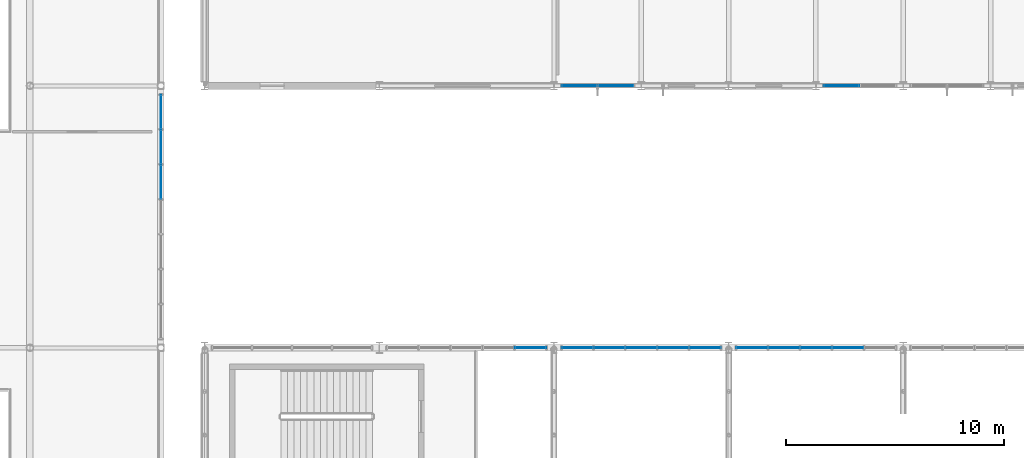
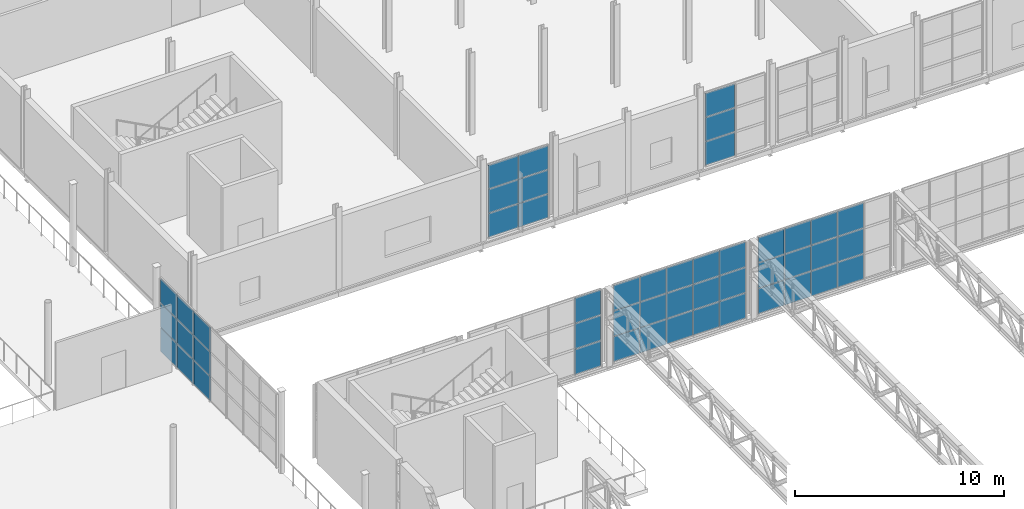
# One storey, part 110 of 143: 48 plates, 6 elements without a shape of their own.
"""IFC4 building model written with IfcOpenShell, lengths in metres."""

import ifcopenshell
import ifcopenshell.guid

model = None  # the IFC model being written
_history = None  # IfcOwnerHistory: only IFC2X3 demands one
_inside = {}  # id of a spatial element -> (the spatial element, [elements in it])
_under = {}  # id of a project, library or spatial element -> (it, [spatial elements below it])
_declared = {}  # id of a project -> (the project, [libraries it declares])
_typed = {}  # id of a type object -> (the type object, [elements of that type])
_made_of = {}  # id of a material, layer set ... -> (it, [elements and type objects made of it])


def new_model(schema):
    """Start an empty IFC model of exactly this schema.

    Asked for "IFC4X3", IfcOpenShell would pick the latest addendum, in which some entities
    have other attributes; the version numbers below select the first issue.
    IFC2X3 requires an IfcOwnerHistory on every rooted entity: one is made here for all.
    """
    global model, _history
    if schema == "IFC4X3":
        model = ifcopenshell.file(schema_version=(4, 3, 0, 0))
    else:
        model = ifcopenshell.file(schema=schema)
    _inside.clear()
    _under.clear()
    _declared.clear()
    _typed.clear()
    _made_of.clear()
    _history = None
    if model.schema == "IFC2X3":
        org = make("IfcOrganization", Name="unknown")
        user = make(
            "IfcPersonAndOrganization",
            ThePerson=make("IfcPerson", FamilyName="unknown"),
            TheOrganization=org,
        )
        app = make(
            "IfcApplication",
            ApplicationDeveloper=org,
            Version="unknown",
            ApplicationFullName="unknown",
            ApplicationIdentifier="unknown",
        )
        _history = make(
            "IfcOwnerHistory",
            OwningUser=user,
            OwningApplication=app,
            ChangeAction="ADDED",
            CreationDate=0,
        )
    return model


def make(cls, **values):
    """One entity of the class cls with the attributes given. An attribute that is None is left unset."""
    return model.create_entity(
        cls, **{name: value for name, value in values.items() if value is not None}
    )


def rooted(cls, **values):
    """An entity with a GlobalId (a new one), such as an element, a storey or a relation."""
    return make(cls, GlobalId=ifcopenshell.guid.new(), OwnerHistory=_history, **values)


def si_unit(unit_type, name, prefix=None):
    """IfcSIUnit, for example si_unit("LENGTHUNIT", "METRE", prefix="MILLI")."""
    return make("IfcSIUnit", UnitType=unit_type, Prefix=prefix, Name=name)


def derived_unit(unit_type, elements):
    """IfcDerivedUnit: a product of units, each with its exponent."""
    return make(
        "IfcDerivedUnit",
        Elements=[
            make("IfcDerivedUnitElement", Unit=unit, Exponent=power)
            for unit, power in elements
        ],
        UnitType=unit_type,
    )


def assignment(units):
    """IfcUnitAssignment: the units of a project."""
    return None if units is None else make("IfcUnitAssignment", Units=units)


def point(xyz):
    """IfcCartesianPoint."""
    return None if xyz is None else make("IfcCartesianPoint", Coordinates=xyz)


def direction(xyz):
    """IfcDirection."""
    return None if xyz is None else make("IfcDirection", DirectionRatios=xyz)


def frame(location, z_axis=None, x_axis=None):
    """IfcAxis2Placement3D, a coordinate frame: its origin and axes. An axis left out is left unset."""
    return make(
        "IfcAxis2Placement3D",
        Location=point(location),
        Axis=direction(z_axis),
        RefDirection=direction(x_axis),
    )


def frame_2d(location, x_axis=None):
    """IfcAxis2Placement2D, a coordinate frame in the plane: its origin and x axis."""
    return make(
        "IfcAxis2Placement2D", Location=point(location), RefDirection=direction(x_axis)
    )


def origin():
    """The frame at (0, 0, 0) with its axes left unset."""
    return frame((0.0, 0.0, 0.0))


def origin_2d():
    """The frame at (0, 0) in the plane with its x axis left unset."""
    return frame_2d((0.0, 0.0))


def place(relative_to, where):
    """IfcLocalPlacement: puts the frame where relative to a parent placement (None: the world)."""
    return make(
        "IfcLocalPlacement", PlacementRelTo=relative_to, RelativePlacement=where
    )


def context(
    kind, dimensions, precision=None, world=None, true_north=None, identifier=None
):
    """IfcGeometricRepresentationContext, for example the 3D "Model" context."""
    return make(
        "IfcGeometricRepresentationContext",
        ContextIdentifier=identifier,
        ContextType=kind,
        CoordinateSpaceDimension=dimensions,
        Precision=precision,
        WorldCoordinateSystem=world,
        TrueNorth=true_north,
    )


def subcontext(parent, identifier, kind, view, scale=None):
    """IfcGeometricRepresentationSubContext, for example "Body" below "Model"."""
    return make(
        "IfcGeometricRepresentationSubContext",
        ContextIdentifier=identifier,
        ContextType=kind,
        ParentContext=parent,
        TargetScale=scale,
        TargetView=view,
    )


def project(units=None, contexts=None):
    """IfcProject with its units and contexts."""
    return rooted(
        "IfcProject",
        Name="project",
        RepresentationContexts=contexts,
        UnitsInContext=assignment(units),
    )


def spatial(cls, under=None, at=None, **own):
    """A site, building, storey or space (cls), placed at a placement, below another one or the project."""
    s = rooted(cls, ObjectPlacement=at, **own)
    if under is not None:
        _under.setdefault(under.id(), (under, []))[1].append(s)
    return s


def profile(cls, at=None, kind="AREA", **sizes):
    """A parametric profile (cls). Its sizes go by their IFC names, for example OverallWidth=200.0."""
    return make(cls, ProfileType=kind, Position=at, **sizes)


def rectangle(**sizes):
    """IfcRectangleProfileDef."""
    return profile("IfcRectangleProfileDef", **sizes)


def extrude(swept, where, along, depth):
    """IfcExtrudedAreaSolid: the profile swept, set in the frame where, extruded along a direction by depth."""
    return make(
        "IfcExtrudedAreaSolid",
        SweptArea=swept,
        Position=where,
        ExtrudedDirection=direction(along),
        Depth=depth,
    )


def shape(context_of_items, identifier, shape_type, items):
    """IfcShapeRepresentation: the items that make up one representation, for example the "Body"."""
    return make(
        "IfcShapeRepresentation",
        ContextOfItems=context_of_items,
        RepresentationIdentifier=identifier,
        RepresentationType=shape_type,
        Items=items,
    )


def material(Name=None, Category=None):
    """IfcMaterial."""
    return make("IfcMaterial", Name=Name, Category=Category)


def layer(
    of_material, thickness, ventilated=None, Name=None, Category=None, Priority=None
):
    """IfcMaterialLayer: one layer of a wall or slab, of a material (None: an air gap)."""
    return make(
        "IfcMaterialLayer",
        Material=of_material,
        LayerThickness=thickness,
        IsVentilated=ventilated,
        Name=Name,
        Category=Category,
        Priority=Priority,
    )


def layer_set(layers, Name=None):
    """IfcMaterialLayerSet."""
    return make("IfcMaterialLayerSet", MaterialLayers=layers, LayerSetName=Name)


def made_of(thing, what):
    """Note that an element or type object is made of a material, layer set ...; save() writes the relation."""
    if what is not None:
        _made_of.setdefault(what.id(), (what, []))[1].append(thing)
    return thing


def type_object(cls, material=None, **own):
    """A type object (cls), such as IfcWallType, which elements share."""
    return made_of(rooted(cls, **own), material)


def element(
    cls,
    number,
    at=None,
    inside=None,
    cuts=None,
    type_object=None,
    material=None,
    context=None,
    identifier="Body",
    shape_type=None,
    held_by="IfcProductDefinitionShape",
    body=None,
    shapes=None,
    **own,
):
    """One element of the class cls, such as IfcWall. Its Tag is "e" and its number.

    at: its placement. inside: the storey or other place that contains it. cuts: it is an
    opening in that element (IfcRelVoidsElement). A single representation is given by context,
    identifier, shape_type and body (its items); several are given by shapes. held_by: the class
    of the entity that holds the representations. save() writes the other relations.
    """
    e = rooted(cls, Tag="e%d" % number, ObjectPlacement=at, **own)
    if body is not None:
        shapes = [shape(context, identifier, shape_type, body)]
    if shapes is not None:
        e.Representation = make(held_by, Representations=shapes)
    if inside is not None:
        _inside.setdefault(inside.id(), (inside, []))[1].append(e)
    if cuts is not None:
        rooted(
            "IfcRelVoidsElement", RelatingBuildingElement=cuts, RelatedOpeningElement=e
        )
    if type_object is not None:
        _typed.setdefault(type_object.id(), (type_object, []))[1].append(e)
    return made_of(e, material)


def aggregate(whole, parts):
    """IfcRelAggregates: a whole, such as a stair, and the parts it consists of."""
    return rooted("IfcRelAggregates", RelatingObject=whole, RelatedObjects=parts)


def save(model, path):
    """Write the relations noted so far, then the file.

    IfcRelAggregates (storeys below a building ...), IfcRelContainedInSpatialStructure (elements
    in a storey), IfcRelDefinesByType, IfcRelAssociatesMaterial and IfcRelDeclares: one each for
    every whole, place, type object, material and project.
    """
    for whole, parts in _under.values():
        aggregate(whole, parts)
    for where, things in _inside.values():
        rooted(
            "IfcRelContainedInSpatialStructure",
            RelatedElements=things,
            RelatingStructure=where,
        )
    for kind, things in _typed.values():
        rooted("IfcRelDefinesByType", RelatedObjects=things, RelatingType=kind)
    for what, things in _made_of.values():
        rooted("IfcRelAssociatesMaterial", RelatedObjects=things, RelatingMaterial=what)
    for by, libraries in _declared.values():
        rooted("IfcRelDeclares", RelatingContext=by, RelatedDefinitions=libraries)
    model.write(path)


model = new_model("IFC4")

# Units and contexts
model_context = context("Model", 3, precision=1e-05, world=origin(), true_north=direction((0.0, 1.0)))
body_context = subcontext(model_context, "Body", "Model", "MODEL_VIEW")
ifc_project = project(units=[si_unit("LENGTHUNIT", "METRE"), si_unit("AREAUNIT", "SQUARE_METRE"), si_unit("VOLUMEUNIT", "CUBIC_METRE"), si_unit("PLANEANGLEUNIT", "RADIAN"), si_unit("MASSUNIT", "GRAM", prefix="KILO"), derived_unit("THERMALTRANSMITTANCEUNIT", [(si_unit("POWERUNIT", "WATT"), 1), (si_unit("LENGTHUNIT", "METRE"), -2), (si_unit("THERMODYNAMICTEMPERATUREUNIT", "KELVIN"), -1)])], contexts=[model_context])

# Site, building, storey
site_placement = place(None, origin())
site = spatial("IfcSite", under=ifc_project, at=site_placement, CompositionType="ELEMENT")
building_placement = place(site_placement, origin())
building = spatial("IfcBuilding", under=site, at=building_placement, Name="Keldorne Ridge Multi-Sports Centre", CompositionType="ELEMENT")
storey_placement = place(building_placement, frame((0.0, 0.0, 4.800048828125)))
storey = spatial("IfcBuildingStorey", under=building, at=storey_placement, Name="L01", CompositionType="ELEMENT", Elevation=4.800048828125)

# Curtain wall, plates
ifc_material_1 = material(Name="Anodized aluminium", Category="aluminium")
curtain_wall_type_1 = type_object("IfcCurtainWallType", Name="CW-CW-06", PredefinedType="NOTDEFINED", material=ifc_material_1)
curtain_wall_1_placement = place(storey_placement, origin())
curtain_wall_1 = element("IfcCurtainWall", 1, at=curtain_wall_1_placement, inside=storey, type_object=curtain_wall_type_1, Name="Passage east courtyard curtain wall L01 086", PredefinedType="NOTDEFINED")
ifc_material_2 = material(Name="Double low-e insulated glazing", Category="glass")
ifc_layer = layer(ifc_material_2, 0.035888671875)
ifc_layer_set = layer_set([ifc_layer])
plate_type = type_object("IfcPlateType", Name="PLT-GL-01", PredefinedType="CURTAIN_PANEL", material=ifc_layer_set)
plate_1_placement = place(storey_placement, frame((102.0, 61.60009765625, 0.02001953125), z_axis=(0.0, 0.0, 1.0), x_axis=(0.0, 1.0, 0.0)))
plate_1 = element("IfcPlate", 2, at=plate_1_placement, type_object=plate_type, Name="CW-086 glazed panel 5.1", PredefinedType="CURTAIN_PANEL", context=body_context, shape_type="SweptSolid", body=[
    extrude(rectangle(XDim=1.56005859375, YDim=0.035888671875, at=origin_2d()), origin(), (0.0, 0.0, 1.0), 1.393310546875),
])
plate_2_placement = place(storey_placement, frame((102.0, 61.60009765625, 1.453125), z_axis=(0.0, 0.0, 1.0), x_axis=(0.0, 1.0, 0.0)))
plate_2 = element("IfcPlate", 3, at=plate_2_placement, type_object=plate_type, Name="CW-086 glazed panel 5.2", PredefinedType="CURTAIN_PANEL", context=body_context, shape_type="SweptSolid", body=[
    extrude(rectangle(XDim=1.56005859375, YDim=0.035888671875, at=origin_2d()), origin(), (0.0, 0.0, 1.0), 1.393310546875),
])
plate_3_placement = place(storey_placement, frame((102.0, 61.60009765625, 2.88671875), z_axis=(0.0, 0.0, 1.0), x_axis=(0.0, 1.0, 0.0)))
plate_3 = element("IfcPlate", 4, at=plate_3_placement, type_object=plate_type, Name="CW-086 glazed panel 5.3", PredefinedType="CURTAIN_PANEL", context=body_context, shape_type="SweptSolid", body=[
    extrude(rectangle(XDim=1.56005859375, YDim=0.035888671875, at=origin_2d()), origin(), (0.0, 0.0, 1.0), 1.393310546875),
])
plate_4_placement = place(storey_placement, frame((102.0, 63.199951171875, 0.02001953125), z_axis=(0.0, 0.0, 1.0), x_axis=(0.0, 1.0, 0.0)))
plate_4 = element("IfcPlate", 5, at=plate_4_placement, type_object=plate_type, Name="CW-086 glazed panel 6.1", PredefinedType="CURTAIN_PANEL", context=body_context, shape_type="SweptSolid", body=[
    extrude(rectangle(XDim=1.56005859375, YDim=0.035888671875, at=origin_2d()), origin(), (0.0, 0.0, 1.0), 1.393310546875),
])
plate_5_placement = place(storey_placement, frame((102.0, 63.199951171875, 1.453125), z_axis=(0.0, 0.0, 1.0), x_axis=(0.0, 1.0, 0.0)))
plate_5 = element("IfcPlate", 6, at=plate_5_placement, type_object=plate_type, Name="CW-086 glazed panel 6.2", PredefinedType="CURTAIN_PANEL", context=body_context, shape_type="SweptSolid", body=[
    extrude(rectangle(XDim=1.56005859375, YDim=0.035888671875, at=origin_2d()), origin(), (0.0, 0.0, 1.0), 1.393310546875),
])
plate_6_placement = place(storey_placement, frame((102.0, 63.199951171875, 2.88671875), z_axis=(0.0, 0.0, 1.0), x_axis=(0.0, 1.0, 0.0)))
plate_6 = element("IfcPlate", 7, at=plate_6_placement, type_object=plate_type, Name="CW-086 glazed panel 6.3", PredefinedType="CURTAIN_PANEL", context=body_context, shape_type="SweptSolid", body=[
    extrude(rectangle(XDim=1.56005859375, YDim=0.035888671875, at=origin_2d()), origin(), (0.0, 0.0, 1.0), 1.393310546875),
])
plate_7_placement = place(storey_placement, frame((102.0, 64.800048828125, 0.02001953125), z_axis=(0.0, 0.0, 1.0), x_axis=(0.0, 1.0, 0.0)))
plate_7 = element("IfcPlate", 8, at=plate_7_placement, type_object=plate_type, Name="CW-086 glazed panel 7.1", PredefinedType="CURTAIN_PANEL", context=body_context, shape_type="SweptSolid", body=[
    extrude(rectangle(XDim=1.56005859375, YDim=0.035888671875, at=origin_2d()), origin(), (0.0, 0.0, 1.0), 1.393310546875),
])
plate_8_placement = place(storey_placement, frame((102.0, 64.800048828125, 1.453125), z_axis=(0.0, 0.0, 1.0), x_axis=(0.0, 1.0, 0.0)))
plate_8 = element("IfcPlate", 9, at=plate_8_placement, type_object=plate_type, Name="CW-086 glazed panel 7.2", PredefinedType="CURTAIN_PANEL", context=body_context, shape_type="SweptSolid", body=[
    extrude(rectangle(XDim=1.56005859375, YDim=0.035888671875, at=origin_2d()), origin(), (0.0, 0.0, 1.0), 1.393310546875),
])
plate_9_placement = place(storey_placement, frame((102.0, 64.800048828125, 2.88671875), z_axis=(0.0, 0.0, 1.0), x_axis=(0.0, 1.0, 0.0)))
plate_9 = element("IfcPlate", 10, at=plate_9_placement, type_object=plate_type, Name="CW-086 glazed panel 7.3", PredefinedType="CURTAIN_PANEL", context=body_context, shape_type="SweptSolid", body=[
    extrude(rectangle(XDim=1.56005859375, YDim=0.035888671875, at=origin_2d()), origin(), (0.0, 0.0, 1.0), 1.393310546875),
])
aggregate(curtain_wall_1, [plate_1, plate_2, plate_3, plate_4, plate_5, plate_6, plate_7, plate_8, plate_9])

curtain_wall_type_2 = type_object("IfcCurtainWallType", Name="CW-CW-01", PredefinedType="NOTDEFINED", material=ifc_material_1)
curtain_wall_2_placement = place(storey_placement, origin())
curtain_wall_2 = element("IfcCurtainWall", 11, at=curtain_wall_2_placement, inside=storey, type_object=curtain_wall_type_2, Name="Lower Courts north clerestory 097", PredefinedType="NOTDEFINED")
plate_10_placement = place(storey_placement, frame((118.927978515625, 54.0, 0.02001953125), z_axis=(0.0, 0.0, 1.0), x_axis=(-1.0, 0.0, 0.0)))
plate_10 = element("IfcPlate", 12, at=plate_10_placement, type_object=plate_type, Name="CW-097 glazed panel 1.1", PredefinedType="CURTAIN_PANEL", context=body_context, shape_type="SweptSolid", body=[
    extrude(rectangle(XDim=1.424072265625, YDim=0.035888671875, at=origin_2d()), origin(), (0.0, 0.0, 1.0), 1.4599609375),
])
plate_11_placement = place(storey_placement, frame((118.927978515625, 54.0, 1.52001953125), z_axis=(0.0, 0.0, 1.0), x_axis=(-1.0, 0.0, 0.0)))
plate_11 = element("IfcPlate", 13, at=plate_11_placement, type_object=plate_type, Name="CW-097 glazed panel 1.2", PredefinedType="CURTAIN_PANEL", context=body_context, shape_type="SweptSolid", body=[
    extrude(rectangle(XDim=1.424072265625, YDim=0.035888671875, at=origin_2d()), origin(), (0.0, 0.0, 1.0), 1.4599609375),
])
plate_12_placement = place(storey_placement, frame((118.927978515625, 54.0, 3.02001953125), z_axis=(0.0, 0.0, 1.0), x_axis=(-1.0, 0.0, 0.0)))
plate_12 = element("IfcPlate", 14, at=plate_12_placement, type_object=plate_type, Name="CW-097 glazed panel 1.3", PredefinedType="CURTAIN_PANEL", context=body_context, shape_type="SweptSolid", body=[
    extrude(rectangle(XDim=1.424072265625, YDim=0.035888671875, at=origin_2d()), origin(), (0.0, 0.0, 1.0), 1.4599609375),
])
aggregate(curtain_wall_2, [plate_10, plate_11, plate_12])

curtain_wall_type_3 = type_object("IfcCurtainWallType", Name="CW-CW-07", PredefinedType="NOTDEFINED", material=ifc_material_1)
curtain_wall_3_placement = place(storey_placement, origin())
curtain_wall_3 = element("IfcCurtainWall", 15, at=curtain_wall_3_placement, inside=storey, type_object=curtain_wall_type_3, Name="Lower Courts north clerestory 103", PredefinedType="NOTDEFINED")
plate_13_placement = place(storey_placement, frame((126.927978515625, 54.0, 0.02001953125), z_axis=(0.0, 0.0, 1.0), x_axis=(-1.0, 0.0, 0.0)))
plate_13 = element("IfcPlate", 16, at=plate_13_placement, type_object=plate_type, Name="CW-103 glazed panel 1.1", PredefinedType="CURTAIN_PANEL", context=body_context, shape_type="SweptSolid", body=[
    extrude(rectangle(XDim=1.424072265625, YDim=0.035888671875, at=origin_2d()), origin(), (0.0, 0.0, 1.0), 1.4599609375),
])
plate_14_placement = place(storey_placement, frame((126.927978515625, 54.0, 1.52001953125), z_axis=(0.0, 0.0, 1.0), x_axis=(-1.0, 0.0, 0.0)))
plate_14 = element("IfcPlate", 17, at=plate_14_placement, type_object=plate_type, Name="CW-103 glazed panel 1.2", PredefinedType="CURTAIN_PANEL", context=body_context, shape_type="SweptSolid", body=[
    extrude(rectangle(XDim=1.424072265625, YDim=0.035888671875, at=origin_2d()), origin(), (0.0, 0.0, 1.0), 1.4599609375),
])
plate_15_placement = place(storey_placement, frame((126.927978515625, 54.0, 3.02001953125), z_axis=(0.0, 0.0, 1.0), x_axis=(-1.0, 0.0, 0.0)))
plate_15 = element("IfcPlate", 18, at=plate_15_placement, type_object=plate_type, Name="CW-103 glazed panel 1.3", PredefinedType="CURTAIN_PANEL", context=body_context, shape_type="SweptSolid", body=[
    extrude(rectangle(XDim=1.424072265625, YDim=0.035888671875, at=origin_2d()), origin(), (0.0, 0.0, 1.0), 1.4599609375),
])
plate_16_placement = place(storey_placement, frame((125.464111328125, 54.0, 0.02001953125), z_axis=(0.0, 0.0, 1.0), x_axis=(-1.0, 0.0, 0.0)))
plate_16 = element("IfcPlate", 19, at=plate_16_placement, type_object=plate_type, Name="CW-103 glazed panel 2.1", PredefinedType="CURTAIN_PANEL", context=body_context, shape_type="SweptSolid", body=[
    extrude(rectangle(XDim=1.424072265625, YDim=0.035888671875, at=origin_2d()), origin(), (0.0, 0.0, 1.0), 1.4599609375),
])
plate_17_placement = place(storey_placement, frame((125.464111328125, 54.0, 1.52001953125), z_axis=(0.0, 0.0, 1.0), x_axis=(-1.0, 0.0, 0.0)))
plate_17 = element("IfcPlate", 20, at=plate_17_placement, type_object=plate_type, Name="CW-103 glazed panel 2.2", PredefinedType="CURTAIN_PANEL", context=body_context, shape_type="SweptSolid", body=[
    extrude(rectangle(XDim=1.424072265625, YDim=0.035888671875, at=origin_2d()), origin(), (0.0, 0.0, 1.0), 1.4599609375),
])
plate_18_placement = place(storey_placement, frame((125.464111328125, 54.0, 3.02001953125), z_axis=(0.0, 0.0, 1.0), x_axis=(-1.0, 0.0, 0.0)))
plate_18 = element("IfcPlate", 21, at=plate_18_placement, type_object=plate_type, Name="CW-103 glazed panel 2.3", PredefinedType="CURTAIN_PANEL", context=body_context, shape_type="SweptSolid", body=[
    extrude(rectangle(XDim=1.424072265625, YDim=0.035888671875, at=origin_2d()), origin(), (0.0, 0.0, 1.0), 1.4599609375),
])
plate_19_placement = place(storey_placement, frame((124.0, 54.0, 0.02001953125), z_axis=(0.0, 0.0, 1.0), x_axis=(-1.0, 0.0, 0.0)))
plate_19 = element("IfcPlate", 22, at=plate_19_placement, type_object=plate_type, Name="CW-103 glazed panel 3.1", PredefinedType="CURTAIN_PANEL", context=body_context, shape_type="SweptSolid", body=[
    extrude(rectangle(XDim=1.424072265625, YDim=0.035888671875, at=origin_2d()), origin(), (0.0, 0.0, 1.0), 1.4599609375),
])
plate_20_placement = place(storey_placement, frame((124.0, 54.0, 1.52001953125), z_axis=(0.0, 0.0, 1.0), x_axis=(-1.0, 0.0, 0.0)))
plate_20 = element("IfcPlate", 23, at=plate_20_placement, type_object=plate_type, Name="CW-103 glazed panel 3.2", PredefinedType="CURTAIN_PANEL", context=body_context, shape_type="SweptSolid", body=[
    extrude(rectangle(XDim=1.424072265625, YDim=0.035888671875, at=origin_2d()), origin(), (0.0, 0.0, 1.0), 1.4599609375),
])
plate_21_placement = place(storey_placement, frame((124.0, 54.0, 3.02001953125), z_axis=(0.0, 0.0, 1.0), x_axis=(-1.0, 0.0, 0.0)))
plate_21 = element("IfcPlate", 24, at=plate_21_placement, type_object=plate_type, Name="CW-103 glazed panel 3.3", PredefinedType="CURTAIN_PANEL", context=body_context, shape_type="SweptSolid", body=[
    extrude(rectangle(XDim=1.424072265625, YDim=0.035888671875, at=origin_2d()), origin(), (0.0, 0.0, 1.0), 1.4599609375),
])
plate_22_placement = place(storey_placement, frame((122.535888671875, 54.0, 0.02001953125), z_axis=(0.0, 0.0, 1.0), x_axis=(-1.0, 0.0, 0.0)))
plate_22 = element("IfcPlate", 25, at=plate_22_placement, type_object=plate_type, Name="CW-103 glazed panel 4.1", PredefinedType="CURTAIN_PANEL", context=body_context, shape_type="SweptSolid", body=[
    extrude(rectangle(XDim=1.424072265625, YDim=0.035888671875, at=origin_2d()), origin(), (0.0, 0.0, 1.0), 1.4599609375),
])
plate_23_placement = place(storey_placement, frame((122.535888671875, 54.0, 1.52001953125), z_axis=(0.0, 0.0, 1.0), x_axis=(-1.0, 0.0, 0.0)))
plate_23 = element("IfcPlate", 26, at=plate_23_placement, type_object=plate_type, Name="CW-103 glazed panel 4.2", PredefinedType="CURTAIN_PANEL", context=body_context, shape_type="SweptSolid", body=[
    extrude(rectangle(XDim=1.424072265625, YDim=0.035888671875, at=origin_2d()), origin(), (0.0, 0.0, 1.0), 1.4599609375),
])
plate_24_placement = place(storey_placement, frame((122.535888671875, 54.0, 3.02001953125), z_axis=(0.0, 0.0, 1.0), x_axis=(-1.0, 0.0, 0.0)))
plate_24 = element("IfcPlate", 27, at=plate_24_placement, type_object=plate_type, Name="CW-103 glazed panel 4.3", PredefinedType="CURTAIN_PANEL", context=body_context, shape_type="SweptSolid", body=[
    extrude(rectangle(XDim=1.424072265625, YDim=0.035888671875, at=origin_2d()), origin(), (0.0, 0.0, 1.0), 1.4599609375),
])
plate_25_placement = place(storey_placement, frame((121.072021484375, 54.0, 0.02001953125), z_axis=(0.0, 0.0, 1.0), x_axis=(-1.0, 0.0, 0.0)))
plate_25 = element("IfcPlate", 28, at=plate_25_placement, type_object=plate_type, Name="CW-103 glazed panel 5.1", PredefinedType="CURTAIN_PANEL", context=body_context, shape_type="SweptSolid", body=[
    extrude(rectangle(XDim=1.424072265625, YDim=0.035888671875, at=origin_2d()), origin(), (0.0, 0.0, 1.0), 1.4599609375),
])
plate_26_placement = place(storey_placement, frame((121.072021484375, 54.0, 1.52001953125), z_axis=(0.0, 0.0, 1.0), x_axis=(-1.0, 0.0, 0.0)))
plate_26 = element("IfcPlate", 29, at=plate_26_placement, type_object=plate_type, Name="CW-103 glazed panel 5.2", PredefinedType="CURTAIN_PANEL", context=body_context, shape_type="SweptSolid", body=[
    extrude(rectangle(XDim=1.424072265625, YDim=0.035888671875, at=origin_2d()), origin(), (0.0, 0.0, 1.0), 1.4599609375),
])
plate_27_placement = place(storey_placement, frame((121.072021484375, 54.0, 3.02001953125), z_axis=(0.0, 0.0, 1.0), x_axis=(-1.0, 0.0, 0.0)))
plate_27 = element("IfcPlate", 30, at=plate_27_placement, type_object=plate_type, Name="CW-103 glazed panel 5.3", PredefinedType="CURTAIN_PANEL", context=body_context, shape_type="SweptSolid", body=[
    extrude(rectangle(XDim=1.424072265625, YDim=0.035888671875, at=origin_2d()), origin(), (0.0, 0.0, 1.0), 1.4599609375),
])
aggregate(curtain_wall_3, [plate_13, plate_14, plate_15, plate_16, plate_17, plate_18, plate_19, plate_20, plate_21, plate_22, plate_23, plate_24, plate_25, plate_26, plate_27])

curtain_wall_4_placement = place(storey_placement, origin())
curtain_wall_4 = element("IfcCurtainWall", 31, at=curtain_wall_4_placement, inside=storey, type_object=curtain_wall_type_1, Name="Lower Courts north clerestory 110", PredefinedType="NOTDEFINED")
plate_28_placement = place(storey_placement, frame((133.464111328125, 54.0, 0.02001953125), z_axis=(0.0, 0.0, 1.0), x_axis=(-1.0, 0.0, 0.0)))
plate_28 = element("IfcPlate", 32, at=plate_28_placement, type_object=plate_type, Name="CW-110 glazed panel 2.1", PredefinedType="CURTAIN_PANEL", context=body_context, shape_type="SweptSolid", body=[
    extrude(rectangle(XDim=1.424072265625, YDim=0.035888671875, at=origin_2d()), origin(), (0.0, 0.0, 1.0), 1.4599609375),
])
plate_29_placement = place(storey_placement, frame((133.464111328125, 54.0, 1.52001953125), z_axis=(0.0, 0.0, 1.0), x_axis=(-1.0, 0.0, 0.0)))
plate_29 = element("IfcPlate", 33, at=plate_29_placement, type_object=plate_type, Name="CW-110 glazed panel 2.2", PredefinedType="CURTAIN_PANEL", context=body_context, shape_type="SweptSolid", body=[
    extrude(rectangle(XDim=1.424072265625, YDim=0.035888671875, at=origin_2d()), origin(), (0.0, 0.0, 1.0), 1.4599609375),
])
plate_30_placement = place(storey_placement, frame((133.464111328125, 54.0, 3.02001953125), z_axis=(0.0, 0.0, 1.0), x_axis=(-1.0, 0.0, 0.0)))
plate_30 = element("IfcPlate", 34, at=plate_30_placement, type_object=plate_type, Name="CW-110 glazed panel 2.3", PredefinedType="CURTAIN_PANEL", context=body_context, shape_type="SweptSolid", body=[
    extrude(rectangle(XDim=1.424072265625, YDim=0.035888671875, at=origin_2d()), origin(), (0.0, 0.0, 1.0), 1.4599609375),
])
plate_31_placement = place(storey_placement, frame((132.0, 54.0, 0.02001953125), z_axis=(0.0, 0.0, 1.0), x_axis=(-1.0, 0.0, 0.0)))
plate_31 = element("IfcPlate", 35, at=plate_31_placement, type_object=plate_type, Name="CW-110 glazed panel 3.1", PredefinedType="CURTAIN_PANEL", context=body_context, shape_type="SweptSolid", body=[
    extrude(rectangle(XDim=1.424072265625, YDim=0.035888671875, at=origin_2d()), origin(), (0.0, 0.0, 1.0), 1.4599609375),
])
plate_32_placement = place(storey_placement, frame((132.0, 54.0, 1.52001953125), z_axis=(0.0, 0.0, 1.0), x_axis=(-1.0, 0.0, 0.0)))
plate_32 = element("IfcPlate", 36, at=plate_32_placement, type_object=plate_type, Name="CW-110 glazed panel 3.2", PredefinedType="CURTAIN_PANEL", context=body_context, shape_type="SweptSolid", body=[
    extrude(rectangle(XDim=1.424072265625, YDim=0.035888671875, at=origin_2d()), origin(), (0.0, 0.0, 1.0), 1.4599609375),
])
plate_33_placement = place(storey_placement, frame((132.0, 54.0, 3.02001953125), z_axis=(0.0, 0.0, 1.0), x_axis=(-1.0, 0.0, 0.0)))
plate_33 = element("IfcPlate", 37, at=plate_33_placement, type_object=plate_type, Name="CW-110 glazed panel 3.3", PredefinedType="CURTAIN_PANEL", context=body_context, shape_type="SweptSolid", body=[
    extrude(rectangle(XDim=1.424072265625, YDim=0.035888671875, at=origin_2d()), origin(), (0.0, 0.0, 1.0), 1.4599609375),
])
plate_34_placement = place(storey_placement, frame((130.535888671875, 54.0, 0.02001953125), z_axis=(0.0, 0.0, 1.0), x_axis=(-1.0, 0.0, 0.0)))
plate_34 = element("IfcPlate", 38, at=plate_34_placement, type_object=plate_type, Name="CW-110 glazed panel 4.1", PredefinedType="CURTAIN_PANEL", context=body_context, shape_type="SweptSolid", body=[
    extrude(rectangle(XDim=1.424072265625, YDim=0.035888671875, at=origin_2d()), origin(), (0.0, 0.0, 1.0), 1.4599609375),
])
plate_35_placement = place(storey_placement, frame((130.535888671875, 54.0, 1.52001953125), z_axis=(0.0, 0.0, 1.0), x_axis=(-1.0, 0.0, 0.0)))
plate_35 = element("IfcPlate", 39, at=plate_35_placement, type_object=plate_type, Name="CW-110 glazed panel 4.2", PredefinedType="CURTAIN_PANEL", context=body_context, shape_type="SweptSolid", body=[
    extrude(rectangle(XDim=1.424072265625, YDim=0.035888671875, at=origin_2d()), origin(), (0.0, 0.0, 1.0), 1.4599609375),
])
plate_36_placement = place(storey_placement, frame((130.535888671875, 54.0, 3.02001953125), z_axis=(0.0, 0.0, 1.0), x_axis=(-1.0, 0.0, 0.0)))
plate_36 = element("IfcPlate", 40, at=plate_36_placement, type_object=plate_type, Name="CW-110 glazed panel 4.3", PredefinedType="CURTAIN_PANEL", context=body_context, shape_type="SweptSolid", body=[
    extrude(rectangle(XDim=1.424072265625, YDim=0.035888671875, at=origin_2d()), origin(), (0.0, 0.0, 1.0), 1.4599609375),
])
plate_37_placement = place(storey_placement, frame((129.072021484375, 54.0, 0.02001953125), z_axis=(0.0, 0.0, 1.0), x_axis=(-1.0, 0.0, 0.0)))
plate_37 = element("IfcPlate", 41, at=plate_37_placement, type_object=plate_type, Name="CW-110 glazed panel 5.1", PredefinedType="CURTAIN_PANEL", context=body_context, shape_type="SweptSolid", body=[
    extrude(rectangle(XDim=1.424072265625, YDim=0.035888671875, at=origin_2d()), origin(), (0.0, 0.0, 1.0), 1.4599609375),
])
plate_38_placement = place(storey_placement, frame((129.072021484375, 54.0, 1.52001953125), z_axis=(0.0, 0.0, 1.0), x_axis=(-1.0, 0.0, 0.0)))
plate_38 = element("IfcPlate", 42, at=plate_38_placement, type_object=plate_type, Name="CW-110 glazed panel 5.2", PredefinedType="CURTAIN_PANEL", context=body_context, shape_type="SweptSolid", body=[
    extrude(rectangle(XDim=1.424072265625, YDim=0.035888671875, at=origin_2d()), origin(), (0.0, 0.0, 1.0), 1.4599609375),
])
plate_39_placement = place(storey_placement, frame((129.072021484375, 54.0, 3.02001953125), z_axis=(0.0, 0.0, 1.0), x_axis=(-1.0, 0.0, 0.0)))
plate_39 = element("IfcPlate", 43, at=plate_39_placement, type_object=plate_type, Name="CW-110 glazed panel 5.3", PredefinedType="CURTAIN_PANEL", context=body_context, shape_type="SweptSolid", body=[
    extrude(rectangle(XDim=1.424072265625, YDim=0.035888671875, at=origin_2d()), origin(), (0.0, 0.0, 1.0), 1.4599609375),
])
aggregate(curtain_wall_4, [plate_28, plate_29, plate_30, plate_31, plate_32, plate_33, plate_34, plate_35, plate_36, plate_37, plate_38, plate_39])

curtain_wall_type_4 = type_object("IfcCurtainWallType", Name="CW-CW-03", PredefinedType="NOTDEFINED", material=ifc_material_1)
curtain_wall_5_placement = place(storey_placement, origin())
curtain_wall_5 = element("IfcCurtainWall", 44, at=curtain_wall_5_placement, inside=storey, type_object=curtain_wall_type_4, Name="East Wing L01 south curtain wall 139", PredefinedType="NOTDEFINED")
plate_40_placement = place(storey_placement, frame((121.169921875, 66.0, 0.02001953125), z_axis=(0.0, 0.0, 1.0), x_axis=(1.0, 0.0, 0.0)))
plate_40 = element("IfcPlate", 45, at=plate_40_placement, type_object=plate_type, Name="CW-139 glazed panel 1.1", PredefinedType="CURTAIN_PANEL", context=body_context, shape_type="SweptSolid", body=[
    extrude(rectangle(XDim=1.6201171875, YDim=0.035888671875, at=origin_2d()), origin(), (0.0, 0.0, 1.0), 1.376708984375),
])
plate_41_placement = place(storey_placement, frame((121.169921875, 66.0, 1.4365234375), z_axis=(0.0, 0.0, 1.0), x_axis=(1.0, 0.0, 0.0)))
plate_41 = element("IfcPlate", 46, at=plate_41_placement, type_object=plate_type, Name="CW-139 glazed panel 1.2", PredefinedType="CURTAIN_PANEL", context=body_context, shape_type="SweptSolid", body=[
    extrude(rectangle(XDim=1.6201171875, YDim=0.035888671875, at=origin_2d()), origin(), (0.0, 0.0, 1.0), 1.376708984375),
])
plate_42_placement = place(storey_placement, frame((121.169921875, 66.0, 2.853515625), z_axis=(0.0, 0.0, 1.0), x_axis=(1.0, 0.0, 0.0)))
plate_42 = element("IfcPlate", 47, at=plate_42_placement, type_object=plate_type, Name="CW-139 glazed panel 1.3", PredefinedType="CURTAIN_PANEL", context=body_context, shape_type="SweptSolid", body=[
    extrude(rectangle(XDim=1.6201171875, YDim=0.035888671875, at=origin_2d()), origin(), (0.0, 0.0, 1.0), 1.376708984375),
])
plate_43_placement = place(storey_placement, frame((122.830078125, 66.0, 0.02001953125), z_axis=(0.0, 0.0, 1.0), x_axis=(1.0, 0.0, 0.0)))
plate_43 = element("IfcPlate", 48, at=plate_43_placement, type_object=plate_type, Name="CW-139 glazed panel 2.1", PredefinedType="CURTAIN_PANEL", context=body_context, shape_type="SweptSolid", body=[
    extrude(rectangle(XDim=1.6201171875, YDim=0.035888671875, at=origin_2d()), origin(), (0.0, 0.0, 1.0), 1.376708984375),
])
plate_44_placement = place(storey_placement, frame((122.830078125, 66.0, 1.4365234375), z_axis=(0.0, 0.0, 1.0), x_axis=(1.0, 0.0, 0.0)))
plate_44 = element("IfcPlate", 49, at=plate_44_placement, type_object=plate_type, Name="CW-139 glazed panel 2.2", PredefinedType="CURTAIN_PANEL", context=body_context, shape_type="SweptSolid", body=[
    extrude(rectangle(XDim=1.6201171875, YDim=0.035888671875, at=origin_2d()), origin(), (0.0, 0.0, 1.0), 1.376708984375),
])
plate_45_placement = place(storey_placement, frame((122.830078125, 66.0, 2.853515625), z_axis=(0.0, 0.0, 1.0), x_axis=(1.0, 0.0, 0.0)))
plate_45 = element("IfcPlate", 50, at=plate_45_placement, type_object=plate_type, Name="CW-139 glazed panel 2.3", PredefinedType="CURTAIN_PANEL", context=body_context, shape_type="SweptSolid", body=[
    extrude(rectangle(XDim=1.6201171875, YDim=0.035888671875, at=origin_2d()), origin(), (0.0, 0.0, 1.0), 1.376708984375),
])
aggregate(curtain_wall_5, [plate_40, plate_41, plate_42, plate_43, plate_44, plate_45])

curtain_wall_type_5 = type_object("IfcCurtainWallType", Name="CW-CW-04", PredefinedType="NOTDEFINED", material=ifc_material_1)
curtain_wall_6_placement = place(storey_placement, origin())
curtain_wall_6 = element("IfcCurtainWall", 51, at=curtain_wall_6_placement, inside=storey, type_object=curtain_wall_type_5, Name="East Wing L01 south curtain wall 140", PredefinedType="NOTDEFINED")
plate_46_placement = place(storey_placement, frame((133.169921875, 66.0, 0.02001953125), z_axis=(0.0, 0.0, 1.0), x_axis=(1.0, 0.0, 0.0)))
plate_46 = element("IfcPlate", 52, at=plate_46_placement, type_object=plate_type, Name="CW-140 glazed panel 1.1", PredefinedType="CURTAIN_PANEL", context=body_context, shape_type="SweptSolid", body=[
    extrude(rectangle(XDim=1.6201171875, YDim=0.035888671875, at=origin_2d()), origin(), (0.0, 0.0, 1.0), 1.376708984375),
])
plate_47_placement = place(storey_placement, frame((133.169921875, 66.0, 1.4365234375), z_axis=(0.0, 0.0, 1.0), x_axis=(1.0, 0.0, 0.0)))
plate_47 = element("IfcPlate", 53, at=plate_47_placement, type_object=plate_type, Name="CW-140 glazed panel 1.2", PredefinedType="CURTAIN_PANEL", context=body_context, shape_type="SweptSolid", body=[
    extrude(rectangle(XDim=1.6201171875, YDim=0.035888671875, at=origin_2d()), origin(), (0.0, 0.0, 1.0), 1.376708984375),
])
plate_48_placement = place(storey_placement, frame((133.169921875, 66.0, 2.853515625), z_axis=(0.0, 0.0, 1.0), x_axis=(1.0, 0.0, 0.0)))
plate_48 = element("IfcPlate", 54, at=plate_48_placement, type_object=plate_type, Name="CW-140 glazed panel 1.3", PredefinedType="CURTAIN_PANEL", context=body_context, shape_type="SweptSolid", body=[
    extrude(rectangle(XDim=1.6201171875, YDim=0.035888671875, at=origin_2d()), origin(), (0.0, 0.0, 1.0), 1.376708984375),
])
aggregate(curtain_wall_6, [plate_46, plate_47, plate_48])

save(model, "model.ifc")
